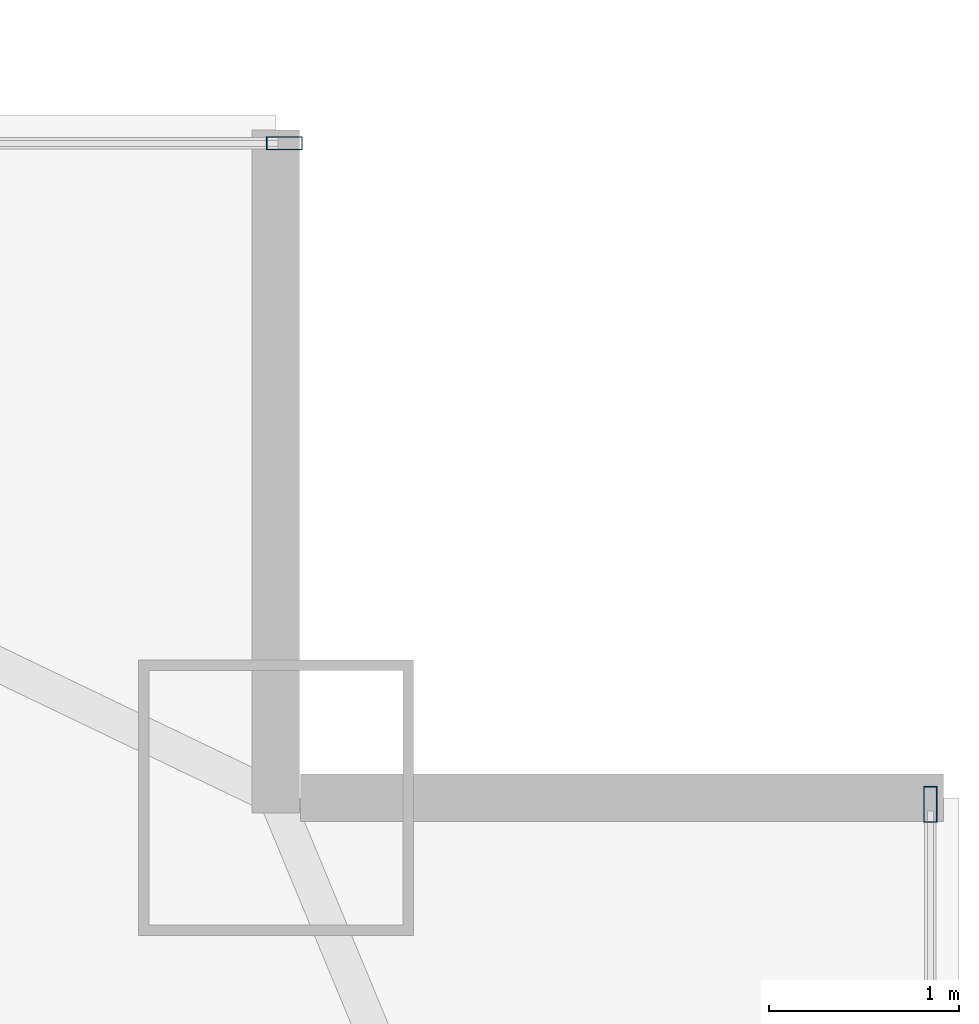
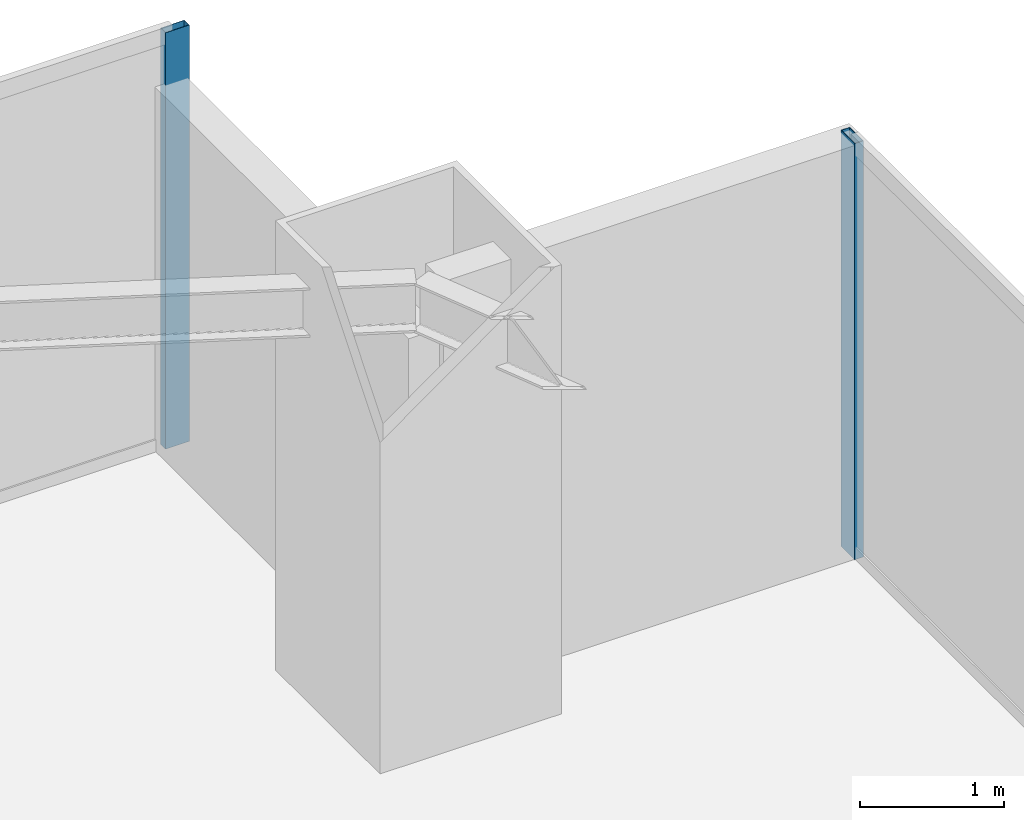
# One storey, part 26 of 31: 2 members, 2 elements without a shape of their own.
"""IFC4 building model written with IfcOpenShell, lengths in metres."""

import ifcopenshell
import ifcopenshell.guid

model = None  # the IFC model being written
_history = None  # IfcOwnerHistory: only IFC2X3 demands one
_inside = {}  # id of a spatial element -> (the spatial element, [elements in it])
_under = {}  # id of a project, library or spatial element -> (it, [spatial elements below it])
_declared = {}  # id of a project -> (the project, [libraries it declares])
_typed = {}  # id of a type object -> (the type object, [elements of that type])
_made_of = {}  # id of a material, layer set ... -> (it, [elements and type objects made of it])


def new_model(schema):
    """Start an empty IFC model of exactly this schema.

    Asked for "IFC4X3", IfcOpenShell would pick the latest addendum, in which some entities
    have other attributes; the version numbers below select the first issue.
    IFC2X3 requires an IfcOwnerHistory on every rooted entity: one is made here for all.
    """
    global model, _history
    if schema == "IFC4X3":
        model = ifcopenshell.file(schema_version=(4, 3, 0, 0))
    else:
        model = ifcopenshell.file(schema=schema)
    _inside.clear()
    _under.clear()
    _declared.clear()
    _typed.clear()
    _made_of.clear()
    _history = None
    if model.schema == "IFC2X3":
        org = make("IfcOrganization", Name="unknown")
        user = make(
            "IfcPersonAndOrganization",
            ThePerson=make("IfcPerson", FamilyName="unknown"),
            TheOrganization=org,
        )
        app = make(
            "IfcApplication",
            ApplicationDeveloper=org,
            Version="unknown",
            ApplicationFullName="unknown",
            ApplicationIdentifier="unknown",
        )
        _history = make(
            "IfcOwnerHistory",
            OwningUser=user,
            OwningApplication=app,
            ChangeAction="ADDED",
            CreationDate=0,
        )
    return model


def make(cls, **values):
    """One entity of the class cls with the attributes given. An attribute that is None is left unset."""
    return model.create_entity(
        cls, **{name: value for name, value in values.items() if value is not None}
    )


def rooted(cls, **values):
    """An entity with a GlobalId (a new one), such as an element, a storey or a relation."""
    return make(cls, GlobalId=ifcopenshell.guid.new(), OwnerHistory=_history, **values)


def si_unit(unit_type, name, prefix=None):
    """IfcSIUnit, for example si_unit("LENGTHUNIT", "METRE", prefix="MILLI")."""
    return make("IfcSIUnit", UnitType=unit_type, Prefix=prefix, Name=name)


def assignment(units):
    """IfcUnitAssignment: the units of a project."""
    return None if units is None else make("IfcUnitAssignment", Units=units)


def point(xyz):
    """IfcCartesianPoint."""
    return None if xyz is None else make("IfcCartesianPoint", Coordinates=xyz)


def direction(xyz):
    """IfcDirection."""
    return None if xyz is None else make("IfcDirection", DirectionRatios=xyz)


def frame(location, z_axis=None, x_axis=None):
    """IfcAxis2Placement3D, a coordinate frame: its origin and axes. An axis left out is left unset."""
    return make(
        "IfcAxis2Placement3D",
        Location=point(location),
        Axis=direction(z_axis),
        RefDirection=direction(x_axis),
    )


def frame_2d(location, x_axis=None):
    """IfcAxis2Placement2D, a coordinate frame in the plane: its origin and x axis."""
    return make(
        "IfcAxis2Placement2D", Location=point(location), RefDirection=direction(x_axis)
    )


def origin():
    """The frame at (0, 0, 0) with its axes left unset."""
    return frame((0.0, 0.0, 0.0))


def origin_2d():
    """The frame at (0, 0) in the plane with its x axis left unset."""
    return frame_2d((0.0, 0.0))


def place(relative_to, where):
    """IfcLocalPlacement: puts the frame where relative to a parent placement (None: the world)."""
    return make(
        "IfcLocalPlacement", PlacementRelTo=relative_to, RelativePlacement=where
    )


def context(
    kind, dimensions, precision=None, world=None, true_north=None, identifier=None
):
    """IfcGeometricRepresentationContext, for example the 3D "Model" context."""
    return make(
        "IfcGeometricRepresentationContext",
        ContextIdentifier=identifier,
        ContextType=kind,
        CoordinateSpaceDimension=dimensions,
        Precision=precision,
        WorldCoordinateSystem=world,
        TrueNorth=true_north,
    )


def subcontext(parent, identifier, kind, view, scale=None):
    """IfcGeometricRepresentationSubContext, for example "Body" below "Model"."""
    return make(
        "IfcGeometricRepresentationSubContext",
        ContextIdentifier=identifier,
        ContextType=kind,
        ParentContext=parent,
        TargetScale=scale,
        TargetView=view,
    )


def project(units=None, contexts=None):
    """IfcProject with its units and contexts."""
    return rooted(
        "IfcProject",
        Name="project",
        RepresentationContexts=contexts,
        UnitsInContext=assignment(units),
    )


def spatial(cls, under=None, at=None, **own):
    """A site, building, storey or space (cls), placed at a placement, below another one or the project."""
    s = rooted(cls, ObjectPlacement=at, **own)
    if under is not None:
        _under.setdefault(under.id(), (under, []))[1].append(s)
    return s


def profile(cls, at=None, kind="AREA", **sizes):
    """A parametric profile (cls). Its sizes go by their IFC names, for example OverallWidth=200.0."""
    return make(cls, ProfileType=kind, Position=at, **sizes)


def hollow_rectangle(**sizes):
    """IfcRectangleHollowProfileDef."""
    return profile("IfcRectangleHollowProfileDef", **sizes)


def extrude(swept, where, along, depth):
    """IfcExtrudedAreaSolid: the profile swept, set in the frame where, extruded along a direction by depth."""
    return make(
        "IfcExtrudedAreaSolid",
        SweptArea=swept,
        Position=where,
        ExtrudedDirection=direction(along),
        Depth=depth,
    )


def shape(context_of_items, identifier, shape_type, items):
    """IfcShapeRepresentation: the items that make up one representation, for example the "Body"."""
    return make(
        "IfcShapeRepresentation",
        ContextOfItems=context_of_items,
        RepresentationIdentifier=identifier,
        RepresentationType=shape_type,
        Items=items,
    )


def source(mapping_origin, context_of_items, identifier, shape_type, items):
    """IfcRepresentationMap: a shape defined once, which mapped items show again and again."""
    return make(
        "IfcRepresentationMap",
        MappingOrigin=mapping_origin,
        MappedRepresentation=shape(context_of_items, identifier, shape_type, items),
    )


def transform(
    local_origin,
    x_axis=None,
    y_axis=None,
    z_axis=None,
    scale=None,
    scale2=None,
    scale3=None,
    uniform=True,
):
    """IfcCartesianTransformationOperator3D, or its non-uniform kind. x_axis, y_axis, z_axis: its Axis1, 2, 3."""
    if uniform:
        return make(
            "IfcCartesianTransformationOperator3D",
            Axis1=direction(x_axis),
            Axis2=direction(y_axis),
            LocalOrigin=point(local_origin),
            Scale=scale,
            Axis3=direction(z_axis),
        )
    return make(
        "IfcCartesianTransformationOperator3DnonUniform",
        Axis1=direction(x_axis),
        Axis2=direction(y_axis),
        LocalOrigin=point(local_origin),
        Scale=scale,
        Axis3=direction(z_axis),
        Scale2=scale2,
        Scale3=scale3,
    )


def mapped(mapping_source, mapping_target):
    """IfcMappedItem: shows the shape of a source again, moved by a transform."""
    return make(
        "IfcMappedItem", MappingSource=mapping_source, MappingTarget=mapping_target
    )


def material(Name=None, Category=None):
    """IfcMaterial."""
    return make("IfcMaterial", Name=Name, Category=Category)


def layer(
    of_material, thickness, ventilated=None, Name=None, Category=None, Priority=None
):
    """IfcMaterialLayer: one layer of a wall or slab, of a material (None: an air gap)."""
    return make(
        "IfcMaterialLayer",
        Material=of_material,
        LayerThickness=thickness,
        IsVentilated=ventilated,
        Name=Name,
        Category=Category,
        Priority=Priority,
    )


def layer_set(layers, Name=None):
    """IfcMaterialLayerSet."""
    return make("IfcMaterialLayerSet", MaterialLayers=layers, LayerSetName=Name)


def material_profile(
    of_material, cross_section, Name=None, Category=None, Priority=None
):
    """IfcMaterialProfile: a cross section and its material."""
    return make(
        "IfcMaterialProfile",
        Name=Name,
        Material=of_material,
        Profile=cross_section,
        Priority=Priority,
        Category=Category,
    )


def profile_set(profiles, Name=None, composite=None):
    """IfcMaterialProfileSet."""
    return make(
        "IfcMaterialProfileSet",
        Name=Name,
        MaterialProfiles=profiles,
        CompositeProfile=composite,
    )


def made_of(thing, what):
    """Note that an element or type object is made of a material, layer set ...; save() writes the relation."""
    if what is not None:
        _made_of.setdefault(what.id(), (what, []))[1].append(thing)
    return thing


def type_object(cls, material=None, **own):
    """A type object (cls), such as IfcWallType, which elements share."""
    return made_of(rooted(cls, **own), material)


def type_shapes(of_type, sources):
    """Give a type object the sources (RepresentationMaps) that its elements show as mapped items."""
    of_type.RepresentationMaps = sources


def element(
    cls,
    number,
    at=None,
    inside=None,
    cuts=None,
    type_object=None,
    material=None,
    context=None,
    identifier="Body",
    shape_type=None,
    held_by="IfcProductDefinitionShape",
    body=None,
    shapes=None,
    **own,
):
    """One element of the class cls, such as IfcWall. Its Tag is "e" and its number.

    at: its placement. inside: the storey or other place that contains it. cuts: it is an
    opening in that element (IfcRelVoidsElement). A single representation is given by context,
    identifier, shape_type and body (its items); several are given by shapes. held_by: the class
    of the entity that holds the representations. save() writes the other relations.
    """
    e = rooted(cls, Tag="e%d" % number, ObjectPlacement=at, **own)
    if body is not None:
        shapes = [shape(context, identifier, shape_type, body)]
    if shapes is not None:
        e.Representation = make(held_by, Representations=shapes)
    if inside is not None:
        _inside.setdefault(inside.id(), (inside, []))[1].append(e)
    if cuts is not None:
        rooted(
            "IfcRelVoidsElement", RelatingBuildingElement=cuts, RelatedOpeningElement=e
        )
    if type_object is not None:
        _typed.setdefault(type_object.id(), (type_object, []))[1].append(e)
    return made_of(e, material)


def aggregate(whole, parts):
    """IfcRelAggregates: a whole, such as a stair, and the parts it consists of."""
    return rooted("IfcRelAggregates", RelatingObject=whole, RelatedObjects=parts)


def save(model, path):
    """Write the relations noted so far, then the file.

    IfcRelAggregates (storeys below a building ...), IfcRelContainedInSpatialStructure (elements
    in a storey), IfcRelDefinesByType, IfcRelAssociatesMaterial and IfcRelDeclares: one each for
    every whole, place, type object, material and project.
    """
    for whole, parts in _under.values():
        aggregate(whole, parts)
    for where, things in _inside.values():
        rooted(
            "IfcRelContainedInSpatialStructure",
            RelatedElements=things,
            RelatingStructure=where,
        )
    for kind, things in _typed.values():
        rooted("IfcRelDefinesByType", RelatedObjects=things, RelatingType=kind)
    for what, things in _made_of.values():
        rooted("IfcRelAssociatesMaterial", RelatedObjects=things, RelatingMaterial=what)
    for by, libraries in _declared.values():
        rooted("IfcRelDeclares", RelatingContext=by, RelatedDefinitions=libraries)
    model.write(path)


model = new_model("IFC4")

# Units and contexts
model_context = context("Model", 3, precision=1e-05, world=origin(), true_north=direction((0.0, 1.0)))
body_context = subcontext(model_context, "Body", "Model", "MODEL_VIEW")
ifc_project = project(units=[si_unit("LENGTHUNIT", "METRE"), si_unit("AREAUNIT", "SQUARE_METRE"), si_unit("VOLUMEUNIT", "CUBIC_METRE"), si_unit("PLANEANGLEUNIT", "RADIAN"), si_unit("MASSUNIT", "GRAM", prefix="KILO")], contexts=[model_context])

# Site, building, storey
site_placement = place(None, origin())
site = spatial("IfcSite", under=ifc_project, at=site_placement, CompositionType="ELEMENT")
building_placement = place(site_placement, origin())
building = spatial("IfcBuilding", under=site, at=building_placement, Name="Varnel Quay Broadcast Tower", CompositionType="ELEMENT")
storey_placement = place(building_placement, frame((0.0, 0.0, 94.60009765625)))
storey = spatial("IfcBuildingStorey", under=building, at=storey_placement, Name="L22", CompositionType="ELEMENT", Elevation=94.60009765625)

# Curtain wall, member
ifc_material = material(Name="Anodised Bronze Aluminium 6063-T6", Category="aluminium")
ifc_layer = layer(ifc_material, 0.18994140625, Name="Anodised Bronze Aluminium 6063-T6")
ifc_layer_set = layer_set([ifc_layer], Name="Anodised Bronze Aluminium 6063-T6")
curtain_wall_type = type_object("IfcCurtainWallType", Name="CW_LowerTower", PredefinedType="NOTDEFINED", material=ifc_layer_set)
curtain_wall_1_placement = place(storey_placement, origin())
curtain_wall_1 = element("IfcCurtainWall", 1, at=curtain_wall_1_placement, inside=storey, type_object=curtain_wall_type, Name="L22 East Unitised Curtain Wall", PredefinedType="NOTDEFINED")
ifc_material_profile = material_profile(ifc_material, hollow_rectangle(XDim=0.070068359375, YDim=0.18994140625, WallThickness=0.00390625, at=origin_2d()), Name="ALU70X190X4")
ifc_profile_set = profile_set([ifc_material_profile], Name="Anodised Bronze Aluminium 6063-T6")
member_type = type_object("IfcMemberType", Name="Mull_CWS-02", PredefinedType="MULLION", material=ifc_profile_set)
shared_shape = source(origin(), body_context, "Body", "SweptSolid", [
    extrude(hollow_rectangle(XDim=0.070068359375, YDim=0.18994140625, WallThickness=0.00390625, at=origin_2d()), origin(), (0.0, 0.0, 1.0), 3.52001953125),
])
type_shapes(member_type, [shared_shape])
member_1_placement = place(storey_placement, frame((63.35009765625, 43.1650390625, 0.0), z_axis=(0.0, 0.0, 1.0), x_axis=(-1.0, 0.0, 0.0)))
member_1 = element("IfcMember", 2, at=member_1_placement, type_object=member_type, Name="CWS-02 mullion 4", PredefinedType="MULLION", context=body_context, shape_type="MappedRepresentation", body=[
    mapped(shared_shape, transform((0.0, 0.0, 0.0), x_axis=(1.0, 0.0, 0.0), y_axis=(0.0, 1.0, 0.0), z_axis=(0.0, 0.0, 1.0), scale=1.0)),
])
aggregate(curtain_wall_1, [member_1])

curtain_wall_2_placement = place(storey_placement, origin())
curtain_wall_2 = element("IfcCurtainWall", 3, at=curtain_wall_2_placement, inside=storey, type_object=curtain_wall_type, Name="L22 NE Wing Curtain Wall", PredefinedType="NOTDEFINED")
member_2_placement = place(storey_placement, frame((59.945068359375, 46.64990234375, 0.0), z_axis=(0.0, 0.0, 1.0), x_axis=(0.0, 1.0, 0.0)))
member_2 = element("IfcMember", 4, at=member_2_placement, type_object=member_type, Name="CWS-02 mullion 2", PredefinedType="MULLION", context=body_context, shape_type="MappedRepresentation", body=[
    mapped(shared_shape, transform((0.0, 0.0, 0.0), x_axis=(1.0, 0.0, 0.0), y_axis=(0.0, 1.0, 0.0), z_axis=(0.0, 0.0, 1.0), scale=1.0)),
])
aggregate(curtain_wall_2, [member_2])

save(model, "model.ifc")
